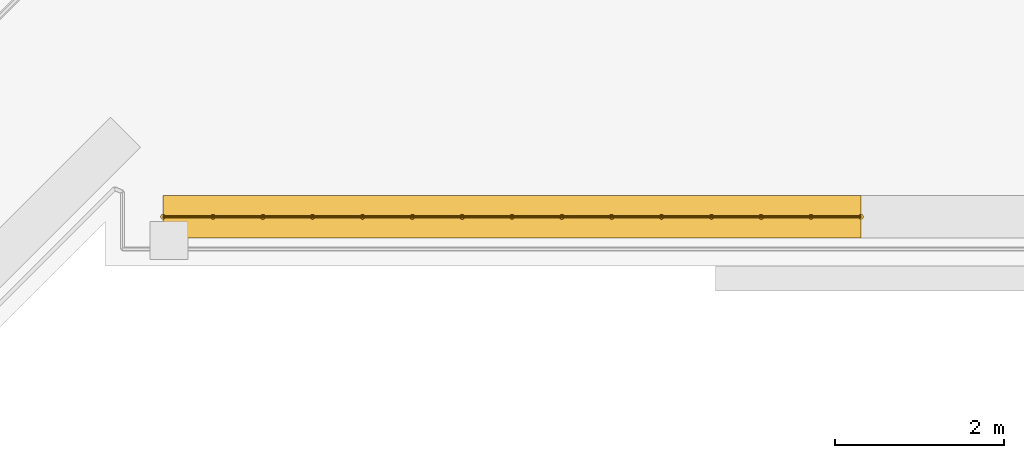
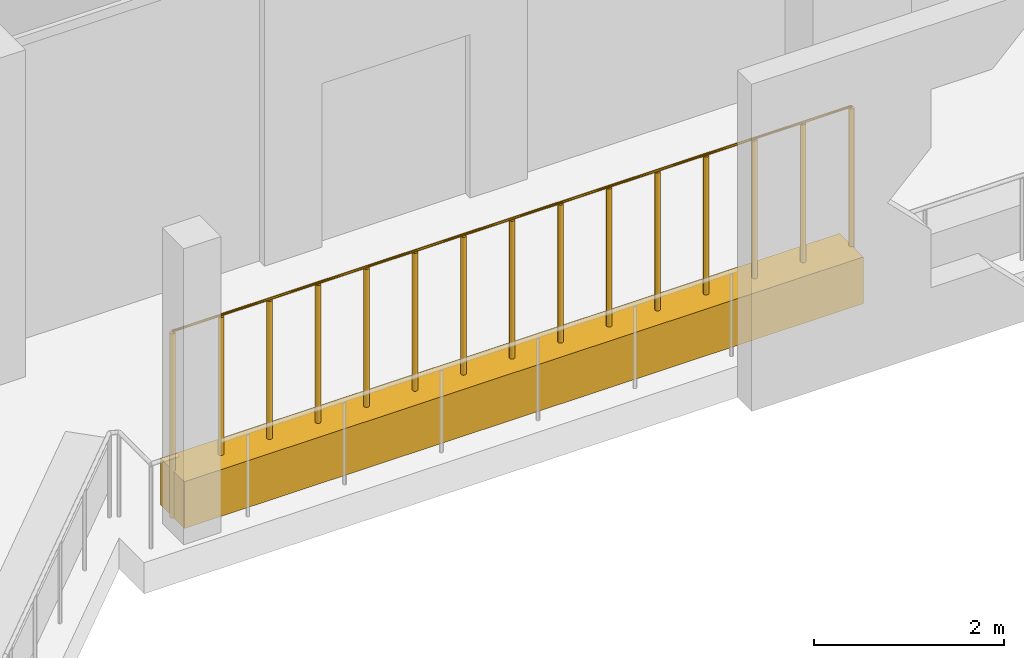
# One storey, part 25 of 29: 1 covering, 1 railing.
"""IFC4 building model written with IfcOpenShell, lengths in metres."""

from ifc_helpers import new_model, si_unit, direction, frame, origin, origin_2d, place, context, subcontext, project, spatial, rectangle, circle, extrude, material, material_profile, profile_set, type_object, element, save


model = new_model("IFC4")

# Units and contexts
model_context = context("Model", 3, precision=1e-05, world=origin(), true_north=direction((0.0, 1.0)))
body_context = subcontext(model_context, "Body", "Model", "MODEL_VIEW")
ifc_project = project(units=[si_unit("LENGTHUNIT", "METRE"), si_unit("AREAUNIT", "SQUARE_METRE"), si_unit("VOLUMEUNIT", "CUBIC_METRE"), si_unit("PLANEANGLEUNIT", "RADIAN"), si_unit("MASSUNIT", "GRAM", prefix="KILO")], contexts=[model_context])

# Site, building, storey
site_placement = place(None, origin())
site = spatial("IfcSite", under=ifc_project, at=site_placement, CompositionType="ELEMENT")
building_placement = place(site_placement, origin())
building = spatial("IfcBuilding", under=site, at=building_placement, Name="Kawkab Arch Medical Tower", CompositionType="ELEMENT")
storey_placement = place(building_placement, frame((0.0, 0.0, 60.199951171875)))
storey = spatial("IfcBuildingStorey", under=building, at=storey_placement, Name="L13", CompositionType="ELEMENT", Elevation=60.199951171875)

# Covering
ifc_material_1 = material(Name="Planting soil in a precast trough", Category="concrete")
ifc_material_profile = material_profile(ifc_material_1, rectangle(XDim=0.5, YDim=0.60009765625, at=origin_2d()), Name="Trough 500x600")
ifc_profile_set = profile_set([ifc_material_profile], Name="Planting soil in a precast trough")
covering_type = type_object("IfcCoveringType", Name="Planter trough 500 x 600", PredefinedType="USERDEFINED", material=ifc_profile_set)
covering_placement = place(storey_placement, frame((40.126953125, -28.820068359375, 0.300048828125), z_axis=(-1.0, 0.0, 0.0), x_axis=(0.0, -1.0, 0.0)))
element("IfcCovering", 1, at=covering_placement, inside=storey, type_object=covering_type, Name="Planter L13.LOG-01-01.41", ObjectType="PLANTER", PredefinedType="USERDEFINED", context=body_context, shape_type="SweptSolid", body=[
    extrude(rectangle(XDim=0.5, YDim=0.60009765625, at=origin_2d()), origin(), (0.0, 0.0, 1.0), 8.2470703125),
])

# Railing
ifc_material_2 = material(Name="Bronze anodised aluminium trellis for climbing plants", Category="aluminium")
railing_type = type_object("IfcRailingType", Name="Planting trellis 2400", PredefinedType="USERDEFINED", material=ifc_material_2)
railing_placement = place(storey_placement, frame((40.126953125, -28.820068359375, 0.0)))
element("IfcRailing", 2, at=railing_placement, inside=storey, type_object=railing_type, Name="Planting trellis L13.LOG-01-01.41", ObjectType="TRELLIS", PredefinedType="USERDEFINED", context=body_context, shape_type="SweptSolid", body=[
    extrude(circle(Radius=0.01513671875, at=origin_2d()), frame((0.0, 0.0, 2.384765625), z_axis=(-1.0, 0.0, 0.0), x_axis=(0.0, -1.0, 0.0)), (0.0, 0.0, 1.0), 8.2470703125),
    extrude(circle(Radius=0.030029296875, at=origin_2d()), origin(), (0.0, 0.0, 1.0), 2.369873046875),
    extrude(circle(Radius=0.030029296875, at=origin_2d()), frame((-0.589111328125, 0.0, 0.0)), (0.0, 0.0, 1.0), 2.369873046875),
    extrude(circle(Radius=0.030029296875, at=origin_2d()), frame((-1.17822265625, 0.0, 0.0)), (0.0, 0.0, 1.0), 2.369873046875),
    extrude(circle(Radius=0.030029296875, at=origin_2d()), frame((-1.767333984375, 0.0, 0.0)), (0.0, 0.0, 1.0), 2.369873046875),
    extrude(circle(Radius=0.030029296875, at=origin_2d()), frame((-2.356201171875, 0.0, 0.0)), (0.0, 0.0, 1.0), 2.369873046875),
    extrude(circle(Radius=0.030029296875, at=origin_2d()), frame((-2.9453125, 0.0, 0.0)), (0.0, 0.0, 1.0), 2.369873046875),
    extrude(circle(Radius=0.030029296875, at=origin_2d()), frame((-3.534423828125, 0.0, 0.0)), (0.0, 0.0, 1.0), 2.369873046875),
    extrude(circle(Radius=0.030029296875, at=origin_2d()), frame((-4.12353515625, 0.0, 0.0)), (0.0, 0.0, 1.0), 2.369873046875),
    extrude(circle(Radius=0.030029296875, at=origin_2d()), frame((-4.712646484375, 0.0, 0.0)), (0.0, 0.0, 1.0), 2.369873046875),
    extrude(circle(Radius=0.030029296875, at=origin_2d()), frame((-5.3017578125, 0.0, 0.0)), (0.0, 0.0, 1.0), 2.369873046875),
    extrude(circle(Radius=0.030029296875, at=origin_2d()), frame((-5.890869140625, 0.0, 0.0)), (0.0, 0.0, 1.0), 2.369873046875),
    extrude(circle(Radius=0.030029296875, at=origin_2d()), frame((-6.479736328125, 0.0, 0.0)), (0.0, 0.0, 1.0), 2.369873046875),
    extrude(circle(Radius=0.030029296875, at=origin_2d()), frame((-7.06884765625, 0.0, 0.0)), (0.0, 0.0, 1.0), 2.369873046875),
    extrude(circle(Radius=0.030029296875, at=origin_2d()), frame((-7.657958984375, 0.0, 0.0)), (0.0, 0.0, 1.0), 2.369873046875),
    extrude(circle(Radius=0.030029296875, at=origin_2d()), frame((-8.2470703125, 0.0, 0.0)), (0.0, 0.0, 1.0), 2.369873046875),
])

save(model, "model.ifc")
